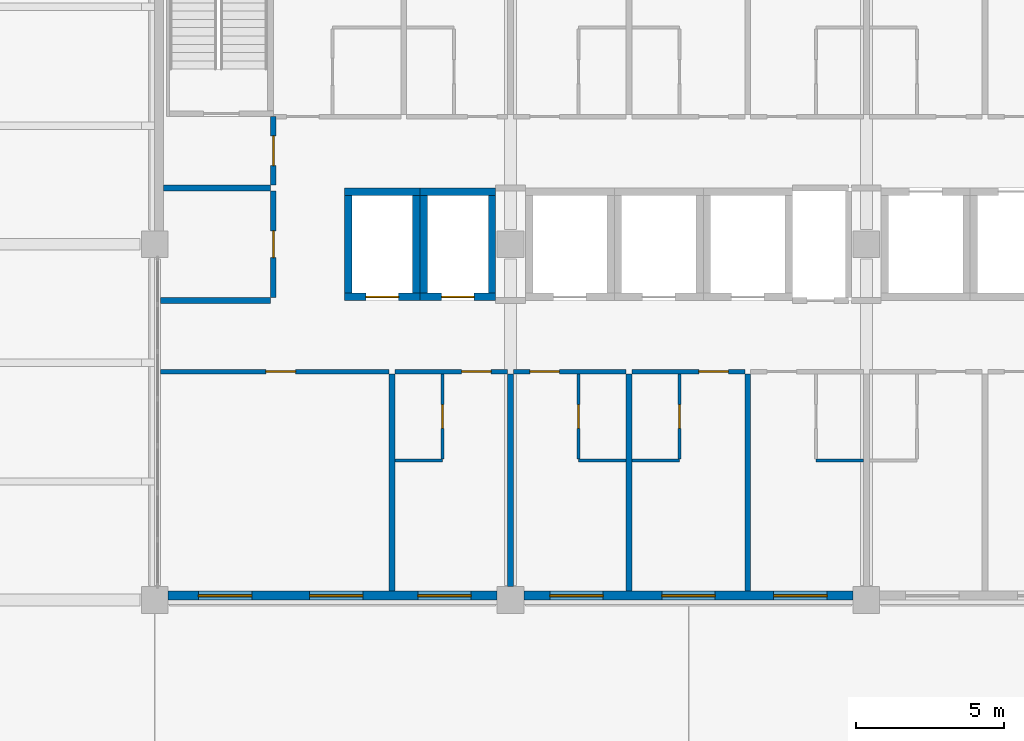
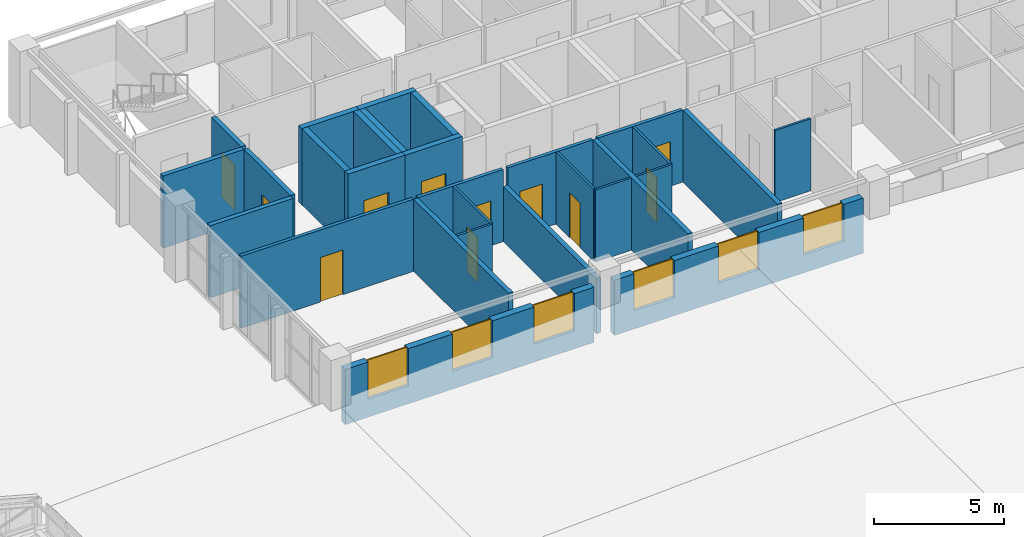
# One storey, part 87 of 94: 29 walls, 11 doors, 6 windows, 17 openings.
"""IFC4 building model written with IfcOpenShell, lengths in metres."""

import ifcopenshell
import ifcopenshell.guid

model = None  # the IFC model being written
_history = None  # IfcOwnerHistory: only IFC2X3 demands one
_inside = {}  # id of a spatial element -> (the spatial element, [elements in it])
_under = {}  # id of a project, library or spatial element -> (it, [spatial elements below it])
_declared = {}  # id of a project -> (the project, [libraries it declares])
_typed = {}  # id of a type object -> (the type object, [elements of that type])
_made_of = {}  # id of a material, layer set ... -> (it, [elements and type objects made of it])


def new_model(schema):
    """Start an empty IFC model of exactly this schema.

    Asked for "IFC4X3", IfcOpenShell would pick the latest addendum, in which some entities
    have other attributes; the version numbers below select the first issue.
    IFC2X3 requires an IfcOwnerHistory on every rooted entity: one is made here for all.
    """
    global model, _history
    if schema == "IFC4X3":
        model = ifcopenshell.file(schema_version=(4, 3, 0, 0))
    else:
        model = ifcopenshell.file(schema=schema)
    _inside.clear()
    _under.clear()
    _declared.clear()
    _typed.clear()
    _made_of.clear()
    _history = None
    if model.schema == "IFC2X3":
        org = make("IfcOrganization", Name="unknown")
        user = make(
            "IfcPersonAndOrganization",
            ThePerson=make("IfcPerson", FamilyName="unknown"),
            TheOrganization=org,
        )
        app = make(
            "IfcApplication",
            ApplicationDeveloper=org,
            Version="unknown",
            ApplicationFullName="unknown",
            ApplicationIdentifier="unknown",
        )
        _history = make(
            "IfcOwnerHistory",
            OwningUser=user,
            OwningApplication=app,
            ChangeAction="ADDED",
            CreationDate=0,
        )
    return model


def make(cls, **values):
    """One entity of the class cls with the attributes given. An attribute that is None is left unset."""
    return model.create_entity(
        cls, **{name: value for name, value in values.items() if value is not None}
    )


def rooted(cls, **values):
    """An entity with a GlobalId (a new one), such as an element, a storey or a relation."""
    return make(cls, GlobalId=ifcopenshell.guid.new(), OwnerHistory=_history, **values)


def si_unit(unit_type, name, prefix=None):
    """IfcSIUnit, for example si_unit("LENGTHUNIT", "METRE", prefix="MILLI")."""
    return make("IfcSIUnit", UnitType=unit_type, Prefix=prefix, Name=name)


def assignment(units):
    """IfcUnitAssignment: the units of a project."""
    return None if units is None else make("IfcUnitAssignment", Units=units)


def point(xyz):
    """IfcCartesianPoint."""
    return None if xyz is None else make("IfcCartesianPoint", Coordinates=xyz)


def direction(xyz):
    """IfcDirection."""
    return None if xyz is None else make("IfcDirection", DirectionRatios=xyz)


def frame(location, z_axis=None, x_axis=None):
    """IfcAxis2Placement3D, a coordinate frame: its origin and axes. An axis left out is left unset."""
    return make(
        "IfcAxis2Placement3D",
        Location=point(location),
        Axis=direction(z_axis),
        RefDirection=direction(x_axis),
    )


def frame_2d(location, x_axis=None):
    """IfcAxis2Placement2D, a coordinate frame in the plane: its origin and x axis."""
    return make(
        "IfcAxis2Placement2D", Location=point(location), RefDirection=direction(x_axis)
    )


def origin():
    """The frame at (0, 0, 0) with its axes left unset."""
    return frame((0.0, 0.0, 0.0))


def place(relative_to, where):
    """IfcLocalPlacement: puts the frame where relative to a parent placement (None: the world)."""
    return make(
        "IfcLocalPlacement", PlacementRelTo=relative_to, RelativePlacement=where
    )


def context(
    kind, dimensions, precision=None, world=None, true_north=None, identifier=None
):
    """IfcGeometricRepresentationContext, for example the 3D "Model" context."""
    return make(
        "IfcGeometricRepresentationContext",
        ContextIdentifier=identifier,
        ContextType=kind,
        CoordinateSpaceDimension=dimensions,
        Precision=precision,
        WorldCoordinateSystem=world,
        TrueNorth=true_north,
    )


def subcontext(parent, identifier, kind, view, scale=None):
    """IfcGeometricRepresentationSubContext, for example "Body" below "Model"."""
    return make(
        "IfcGeometricRepresentationSubContext",
        ContextIdentifier=identifier,
        ContextType=kind,
        ParentContext=parent,
        TargetScale=scale,
        TargetView=view,
    )


def project(units=None, contexts=None):
    """IfcProject with its units and contexts."""
    return rooted(
        "IfcProject",
        Name="project",
        RepresentationContexts=contexts,
        UnitsInContext=assignment(units),
    )


def spatial(cls, under=None, at=None, **own):
    """A site, building, storey or space (cls), placed at a placement, below another one or the project."""
    s = rooted(cls, ObjectPlacement=at, **own)
    if under is not None:
        _under.setdefault(under.id(), (under, []))[1].append(s)
    return s


def profile(cls, at=None, kind="AREA", **sizes):
    """A parametric profile (cls). Its sizes go by their IFC names, for example OverallWidth=200.0."""
    return make(cls, ProfileType=kind, Position=at, **sizes)


def rectangle(**sizes):
    """IfcRectangleProfileDef."""
    return profile("IfcRectangleProfileDef", **sizes)


def extrude(swept, where, along, depth):
    """IfcExtrudedAreaSolid: the profile swept, set in the frame where, extruded along a direction by depth."""
    return make(
        "IfcExtrudedAreaSolid",
        SweptArea=swept,
        Position=where,
        ExtrudedDirection=direction(along),
        Depth=depth,
    )


def shape(context_of_items, identifier, shape_type, items):
    """IfcShapeRepresentation: the items that make up one representation, for example the "Body"."""
    return make(
        "IfcShapeRepresentation",
        ContextOfItems=context_of_items,
        RepresentationIdentifier=identifier,
        RepresentationType=shape_type,
        Items=items,
    )


def material(Name=None, Category=None):
    """IfcMaterial."""
    return make("IfcMaterial", Name=Name, Category=Category)


def layer(
    of_material, thickness, ventilated=None, Name=None, Category=None, Priority=None
):
    """IfcMaterialLayer: one layer of a wall or slab, of a material (None: an air gap)."""
    return make(
        "IfcMaterialLayer",
        Material=of_material,
        LayerThickness=thickness,
        IsVentilated=ventilated,
        Name=Name,
        Category=Category,
        Priority=Priority,
    )


def layer_set(layers, Name=None):
    """IfcMaterialLayerSet."""
    return make("IfcMaterialLayerSet", MaterialLayers=layers, LayerSetName=Name)


def made_of(thing, what):
    """Note that an element or type object is made of a material, layer set ...; save() writes the relation."""
    if what is not None:
        _made_of.setdefault(what.id(), (what, []))[1].append(thing)
    return thing


def type_object(cls, material=None, **own):
    """A type object (cls), such as IfcWallType, which elements share."""
    return made_of(rooted(cls, **own), material)


def element(
    cls,
    number,
    at=None,
    inside=None,
    cuts=None,
    type_object=None,
    material=None,
    context=None,
    identifier="Body",
    shape_type=None,
    held_by="IfcProductDefinitionShape",
    body=None,
    shapes=None,
    **own,
):
    """One element of the class cls, such as IfcWall. Its Tag is "e" and its number.

    at: its placement. inside: the storey or other place that contains it. cuts: it is an
    opening in that element (IfcRelVoidsElement). A single representation is given by context,
    identifier, shape_type and body (its items); several are given by shapes. held_by: the class
    of the entity that holds the representations. save() writes the other relations.
    """
    e = rooted(cls, Tag="e%d" % number, ObjectPlacement=at, **own)
    if body is not None:
        shapes = [shape(context, identifier, shape_type, body)]
    if shapes is not None:
        e.Representation = make(held_by, Representations=shapes)
    if inside is not None:
        _inside.setdefault(inside.id(), (inside, []))[1].append(e)
    if cuts is not None:
        rooted(
            "IfcRelVoidsElement", RelatingBuildingElement=cuts, RelatedOpeningElement=e
        )
    if type_object is not None:
        _typed.setdefault(type_object.id(), (type_object, []))[1].append(e)
    return made_of(e, material)


def fill(opening, filler):
    """IfcRelFillsElement: the door or window that sits in an opening."""
    return rooted(
        "IfcRelFillsElement",
        RelatingOpeningElement=opening,
        RelatedBuildingElement=filler,
    )


def aggregate(whole, parts):
    """IfcRelAggregates: a whole, such as a stair, and the parts it consists of."""
    return rooted("IfcRelAggregates", RelatingObject=whole, RelatedObjects=parts)


def save(model, path):
    """Write the relations noted so far, then the file.

    IfcRelAggregates (storeys below a building ...), IfcRelContainedInSpatialStructure (elements
    in a storey), IfcRelDefinesByType, IfcRelAssociatesMaterial and IfcRelDeclares: one each for
    every whole, place, type object, material and project.
    """
    for whole, parts in _under.values():
        aggregate(whole, parts)
    for where, things in _inside.values():
        rooted(
            "IfcRelContainedInSpatialStructure",
            RelatedElements=things,
            RelatingStructure=where,
        )
    for kind, things in _typed.values():
        rooted("IfcRelDefinesByType", RelatedObjects=things, RelatingType=kind)
    for what, things in _made_of.values():
        rooted("IfcRelAssociatesMaterial", RelatedObjects=things, RelatingMaterial=what)
    for by, libraries in _declared.values():
        rooted("IfcRelDeclares", RelatingContext=by, RelatedDefinitions=libraries)
    model.write(path)


model = new_model("IFC4")

# Units and contexts
model_context = context("Model", 3, precision=1e-05, world=origin(), true_north=direction((0.0, 1.0)))
body_context = subcontext(model_context, "Body", "Model", "MODEL_VIEW")
ifc_project = project(units=[si_unit("LENGTHUNIT", "METRE"), si_unit("AREAUNIT", "SQUARE_METRE"), si_unit("VOLUMEUNIT", "CUBIC_METRE"), si_unit("PLANEANGLEUNIT", "RADIAN"), si_unit("MASSUNIT", "GRAM", prefix="KILO")], contexts=[model_context])

# Site, building, storey
site_placement = place(None, origin())
site = spatial("IfcSite", under=ifc_project, at=site_placement, CompositionType="ELEMENT")
building_placement = place(site_placement, origin())
building = spatial("IfcBuilding", under=site, at=building_placement, Name="Lilac Gate Convention Centre", CompositionType="ELEMENT")
storey_placement = place(building_placement, frame((0.0, 0.0, 21.0)))
storey = spatial("IfcBuildingStorey", under=building, at=storey_placement, Name="L04", CompositionType="ELEMENT", Elevation=21.0)

# Wall, opening, door
ifc_material_1 = material(Name="Concrete C60", Category="concrete")
ifc_layer_1 = layer(ifc_material_1, 0.25)
ifc_layer_set_1 = layer_set([ifc_layer_1], Name="Concrete C60")
wall_type_1 = type_object("IfcWallType", Name="Core wall 250 C60", PredefinedType="SHEAR", material=ifc_layer_set_1)
wall_1_placement = place(storey_placement, frame((48.39990234375, 232.22509765625, 0.0), z_axis=(0.0, 0.0, 1.0), x_axis=(1.0, 0.0, 0.0)))
wall_1 = element("IfcWall", 1, at=wall_1_placement, inside=storey, type_object=wall_type_1, Name="CRW3 core wall TC L04 25", PredefinedType="SHEAR", context=body_context, shape_type="SweptSolid", body=[
    extrude(rectangle(XDim=2.550048828125, YDim=0.25, at=frame_2d((1.27490234375, 0.0))), origin(), (0.0, 0.0, 1.0), 3.60009765625),
])
opening_1_placement = place(wall_1_placement, frame((0.72509765625, 0.0, 0.0)))
opening_1 = element("IfcOpeningElement", 2, at=opening_1_placement, cuts=wall_1, Name="Opening T04-052", PredefinedType="OPENING", context=body_context, shape_type="SweptSolid", body=[
    extrude(rectangle(XDim=1.10009765625, YDim=2.10009765625, at=frame_2d((0.550048828125, 1.050048828125))), frame((0.0, 0.135009765625, 0.0), z_axis=(0.0, -1.0, 0.0), x_axis=(1.0, 0.0, 0.0)), (0.0, 0.0, 1.0), 0.27001953125),
])
ifc_material_2 = material(Name="Stainless steel 304", Category="steel")
door_type_1 = type_object("IfcDoorType", Name="Lift landing door 1100", OperationType="SLIDING_TO_LEFT", PredefinedType="DOOR", material=ifc_material_2)
door_1_placement = place(opening_1_placement, origin())
door_1 = element("IfcDoor", 3, at=door_1_placement, inside=storey, type_object=door_type_1, Name="Lift landing door TS1 L04", OperationType="SLIDING_TO_LEFT", OverallHeight=2.10009765625, OverallWidth=1.10009765625, PredefinedType="DOOR", context=body_context, shape_type="SweptSolid", body=[
    extrude(rectangle(XDim=1.10009765625, YDim=2.10009765625, at=frame_2d((0.550048828125, 1.050048828125))), frame((0.0, 0.02490234375, 0.0), z_axis=(0.0, -1.0, 0.0), x_axis=(1.0, 0.0, 0.0)), (0.0, 0.0, 1.0), 0.050048828125),
])
fill(opening_1, door_1)

# Walls
wall_2_placement = place(storey_placement, frame((48.39990234375, 235.77490234375, 0.0), z_axis=(0.0, 0.0, 1.0), x_axis=(1.0, 0.0, 0.0)))
element("IfcWall", 4, at=wall_2_placement, inside=storey, type_object=wall_type_1, Name="CRW3 core wall TC L04 26", PredefinedType="SHEAR", context=body_context, shape_type="SweptSolid", body=[
    extrude(rectangle(XDim=2.550048828125, YDim=0.25, at=frame_2d((1.27490234375, 0.0))), origin(), (0.0, 0.0, 1.0), 3.60009765625),
])
for number, where, z_axis, x_axis, name in (
    (5, (48.52490234375, 232.35009765625, 0.0), (0.0, 0.0, 1.0), (0.0, 1.0, 0.0), "CRW3 core wall TC L04 27"),
    (6, (50.824951171875, 232.35009765625, 0.0), (0.0, 0.0, 1.0), (0.0, 1.0, 0.0), "CRW3 core wall TC L04 28"),
):
    element("IfcWall", number, at=place(storey_placement, frame(where, z_axis=z_axis, x_axis=x_axis)), inside=storey, type_object=wall_type_1, Name=name, PredefinedType="SHEAR", context=body_context, shape_type="SweptSolid", body=[
        extrude(rectangle(XDim=3.2998046875, YDim=0.25, at=frame_2d((1.64990234375, 0.0))), origin(), (0.0, 0.0, 1.0), 3.60009765625),
    ])

# Wall, opening, door
wall_3_placement = place(storey_placement, frame((50.949951171875, 232.22509765625, 0.0), z_axis=(0.0, 0.0, 1.0), x_axis=(1.0, 0.0, 0.0)))
wall_3 = element("IfcWall", 7, at=wall_3_placement, inside=storey, type_object=wall_type_1, Name="CRW3 core wall TC L04 29", PredefinedType="SHEAR", context=body_context, shape_type="SweptSolid", body=[
    extrude(rectangle(XDim=2.550048828125, YDim=0.25, at=frame_2d((1.27490234375, 0.0))), origin(), (0.0, 0.0, 1.0), 3.60009765625),
])
opening_2_placement = place(wall_3_placement, frame((0.72509765625, 0.0, 0.0)))
opening_2 = element("IfcOpeningElement", 8, at=opening_2_placement, cuts=wall_3, Name="Opening T04-053", PredefinedType="OPENING", context=body_context, shape_type="SweptSolid", body=[
    extrude(rectangle(XDim=1.10009765625, YDim=2.10009765625, at=frame_2d((0.550048828125, 1.050048828125))), frame((0.0, 0.135009765625, 0.0), z_axis=(0.0, -1.0, 0.0), x_axis=(1.0, 0.0, 0.0)), (0.0, 0.0, 1.0), 0.27001953125),
])
door_2_placement = place(opening_2_placement, origin())
door_2 = element("IfcDoor", 9, at=door_2_placement, inside=storey, type_object=door_type_1, Name="Lift landing door TS2 L04", OperationType="SLIDING_TO_LEFT", OverallHeight=2.10009765625, OverallWidth=1.10009765625, PredefinedType="DOOR", context=body_context, shape_type="SweptSolid", body=[
    extrude(rectangle(XDim=1.10009765625, YDim=2.10009765625, at=frame_2d((0.550048828125, 1.050048828125))), frame((0.0, 0.02490234375, 0.0), z_axis=(0.0, -1.0, 0.0), x_axis=(1.0, 0.0, 0.0)), (0.0, 0.0, 1.0), 0.050048828125),
])
fill(opening_2, door_2)

# Walls
wall_4_placement = place(storey_placement, frame((50.949951171875, 235.77490234375, 0.0), z_axis=(0.0, 0.0, 1.0), x_axis=(1.0, 0.0, 0.0)))
element("IfcWall", 10, at=wall_4_placement, inside=storey, type_object=wall_type_1, Name="CRW3 core wall TC L04 30", PredefinedType="SHEAR", context=body_context, shape_type="SweptSolid", body=[
    extrude(rectangle(XDim=2.550048828125, YDim=0.25, at=frame_2d((1.27490234375, 0.0))), origin(), (0.0, 0.0, 1.0), 3.60009765625),
])
for number, where, z_axis, x_axis, name in (
    (11, (51.074951171875, 232.35009765625, 0.0), (0.0, 0.0, 1.0), (0.0, 1.0, 0.0), "CRW3 core wall TC L04 31"),
    (12, (53.375, 232.35009765625, 0.0), (0.0, 0.0, 1.0), (0.0, 1.0, 0.0), "CRW3 core wall TC L04 32"),
):
    element("IfcWall", number, at=place(storey_placement, frame(where, z_axis=z_axis, x_axis=x_axis)), inside=storey, type_object=wall_type_1, Name=name, PredefinedType="SHEAR", context=body_context, shape_type="SweptSolid", body=[
        extrude(rectangle(XDim=3.2998046875, YDim=0.25, at=frame_2d((1.64990234375, 0.0))), origin(), (0.0, 0.0, 1.0), 3.60009765625),
    ])

# Wall, opening, door
ifc_material_3 = material(Name="Gypsum board on steel stud", Category="steel")
ifc_layer_2 = layer(ifc_material_3, 0.14990234375)
ifc_layer_set_2 = layer_set([ifc_layer_2], Name="Gypsum board on steel stud")
wall_type_2 = type_object("IfcWallType", Name="Corridor wall 150", PredefinedType="PARTITIONING", material=ifc_layer_set_2)
wall_5_placement = place(storey_placement, frame((49.89990234375, 229.699951171875, 0.0), z_axis=(0.0, 0.0, 1.0), x_axis=(-1.0, 0.0, 0.0)))
wall_5 = element("IfcWall", 13, at=wall_5_placement, inside=storey, type_object=wall_type_2, Name="Corridor wall 150 front 0401", PredefinedType="PARTITIONING", context=body_context, shape_type="SweptSolid", body=[
    extrude(rectangle(XDim=7.69970703125, YDim=0.14990234375, at=frame_2d((3.849853515625, 0.0))), origin(), (0.0, 0.0, 1.0), 3.39990234375),
])
opening_3_placement = place(wall_5_placement, frame((3.14990234375, 0.0, 0.0)))
opening_3 = element("IfcOpeningElement", 14, at=opening_3_placement, cuts=wall_5, Name="Opening T04-008", PredefinedType="OPENING", context=body_context, shape_type="SweptSolid", body=[
    extrude(rectangle(XDim=1.0, YDim=2.10009765625, at=frame_2d((0.5, 1.050048828125))), frame((0.0, 0.0849609375, 0.0), z_axis=(0.0, -1.0, 0.0), x_axis=(1.0, 0.0, 0.0)), (0.0, 0.0, 1.0), 0.169921875),
])
ifc_material_4 = material(Name="Timber", Category="wood")
door_type_2 = type_object("IfcDoorType", Name="Room door 1000", OperationType="SINGLE_SWING_LEFT", PredefinedType="DOOR", material=ifc_material_4)
door_3_placement = place(opening_3_placement, origin())
door_3 = element("IfcDoor", 15, at=door_3_placement, inside=storey, type_object=door_type_2, Name="Meeting Room door", OperationType="SINGLE_SWING_LEFT", OverallHeight=2.10009765625, OverallWidth=1.0, PredefinedType="DOOR", context=body_context, shape_type="SweptSolid", body=[
    extrude(rectangle(XDim=1.0, YDim=2.10009765625, at=frame_2d((0.5, 1.050048828125))), frame((0.0, 0.02490234375, 0.0), z_axis=(0.0, -1.0, 0.0), x_axis=(1.0, 0.0, 0.0)), (0.0, 0.0, 1.0), 0.050048828125),
])
fill(opening_3, door_3)

wall_6_placement = place(storey_placement, frame((53.89990234375, 229.699951171875, 0.0), z_axis=(0.0, 0.0, 1.0), x_axis=(-1.0, 0.0, 0.0)))
wall_6 = element("IfcWall", 16, at=wall_6_placement, inside=storey, type_object=wall_type_2, Name="Corridor wall 150 front 0402", PredefinedType="PARTITIONING", context=body_context, shape_type="SweptSolid", body=[
    extrude(rectangle(XDim=3.7998046875, YDim=0.14990234375, at=frame_2d((1.89990234375, 0.0))), origin(), (0.0, 0.0, 1.0), 3.39990234375),
])
opening_4_placement = place(wall_6_placement, frame((0.550048828125, 0.0, 0.0)))
opening_4 = element("IfcOpeningElement", 17, at=opening_4_placement, cuts=wall_6, Name="Opening T04-009", PredefinedType="OPENING", context=body_context, shape_type="SweptSolid", body=[
    extrude(rectangle(XDim=1.0, YDim=2.10009765625, at=frame_2d((0.5, 1.050048828125))), frame((0.0, 0.0849609375, 0.0), z_axis=(0.0, -1.0, 0.0), x_axis=(1.0, 0.0, 0.0)), (0.0, 0.0, 1.0), 0.169921875),
])
door_type_3 = type_object("IfcDoorType", Name="Guest room entrance door 1000", OperationType="SINGLE_SWING_LEFT", PredefinedType="DOOR", material=ifc_material_4)
door_4_placement = place(opening_4_placement, origin())
door_4 = element("IfcDoor", 18, at=door_4_placement, inside=storey, type_object=door_type_3, Name="Guest room door 0402", OperationType="SINGLE_SWING_LEFT", OverallHeight=2.10009765625, OverallWidth=1.0, PredefinedType="DOOR", context=body_context, shape_type="SweptSolid", body=[
    extrude(rectangle(XDim=1.0, YDim=2.10009765625, at=frame_2d((0.5, 1.050048828125))), frame((0.0, 0.02490234375, 0.0), z_axis=(0.0, -1.0, 0.0), x_axis=(1.0, 0.0, 0.0)), (0.0, 0.0, 1.0), 0.050048828125),
])
fill(opening_4, door_4)

wall_7_placement = place(storey_placement, frame((57.89990234375, 229.699951171875, 0.0), z_axis=(0.0, 0.0, 1.0), x_axis=(-1.0, 0.0, 0.0)))
wall_7 = element("IfcWall", 19, at=wall_7_placement, inside=storey, type_object=wall_type_2, Name="Corridor wall 150 front 0403", PredefinedType="PARTITIONING", context=body_context, shape_type="SweptSolid", body=[
    extrude(rectangle(XDim=3.7998046875, YDim=0.14990234375, at=frame_2d((1.89990234375, 0.0))), origin(), (0.0, 0.0, 1.0), 3.39990234375),
])
opening_5_placement = place(wall_7_placement, frame((2.25, 0.0, 0.0)))
opening_5 = element("IfcOpeningElement", 20, at=opening_5_placement, cuts=wall_7, Name="Opening T04-011", PredefinedType="OPENING", context=body_context, shape_type="SweptSolid", body=[
    extrude(rectangle(XDim=1.0, YDim=2.10009765625, at=frame_2d((0.5, 1.050048828125))), frame((0.0, 0.0849609375, 0.0), z_axis=(0.0, -1.0, 0.0), x_axis=(1.0, 0.0, 0.0)), (0.0, 0.0, 1.0), 0.169921875),
])
door_5_placement = place(opening_5_placement, origin())
door_5 = element("IfcDoor", 21, at=door_5_placement, inside=storey, type_object=door_type_3, Name="Guest room door 0403", OperationType="SINGLE_SWING_RIGHT", OverallHeight=2.10009765625, OverallWidth=1.0, PredefinedType="DOOR", context=body_context, shape_type="SweptSolid", body=[
    extrude(rectangle(XDim=1.0, YDim=2.10009765625, at=frame_2d((0.5, 1.050048828125))), frame((0.0, 0.02490234375, 0.0), z_axis=(0.0, -1.0, 0.0), x_axis=(1.0, 0.0, 0.0)), (0.0, 0.0, 1.0), 0.050048828125),
])
fill(opening_5, door_5)

wall_8_placement = place(storey_placement, frame((61.89990234375, 229.699951171875, 0.0), z_axis=(0.0, 0.0, 1.0), x_axis=(-1.0, 0.0, 0.0)))
wall_8 = element("IfcWall", 22, at=wall_8_placement, inside=storey, type_object=wall_type_2, Name="Corridor wall 150 front 0404", PredefinedType="PARTITIONING", context=body_context, shape_type="SweptSolid", body=[
    extrude(rectangle(XDim=3.7998046875, YDim=0.14990234375, at=frame_2d((1.89990234375, 0.0))), origin(), (0.0, 0.0, 1.0), 3.39990234375),
])
opening_6_placement = place(wall_8_placement, frame((0.550048828125, 0.0, 0.0)))
opening_6 = element("IfcOpeningElement", 23, at=opening_6_placement, cuts=wall_8, Name="Opening T04-013", PredefinedType="OPENING", context=body_context, shape_type="SweptSolid", body=[
    extrude(rectangle(XDim=1.0, YDim=2.10009765625, at=frame_2d((0.5, 1.050048828125))), frame((0.0, 0.0849609375, 0.0), z_axis=(0.0, -1.0, 0.0), x_axis=(1.0, 0.0, 0.0)), (0.0, 0.0, 1.0), 0.169921875),
])
door_6_placement = place(opening_6_placement, origin())
door_6 = element("IfcDoor", 24, at=door_6_placement, inside=storey, type_object=door_type_3, Name="Guest room door 0404", OperationType="SINGLE_SWING_LEFT", OverallHeight=2.10009765625, OverallWidth=1.0, PredefinedType="DOOR", context=body_context, shape_type="SweptSolid", body=[
    extrude(rectangle(XDim=1.0, YDim=2.10009765625, at=frame_2d((0.5, 1.050048828125))), frame((0.0, 0.02490234375, 0.0), z_axis=(0.0, -1.0, 0.0), x_axis=(1.0, 0.0, 0.0)), (0.0, 0.0, 1.0), 0.050048828125),
])
fill(opening_6, door_6)

# Wall
ifc_layer_3 = layer(ifc_material_3, 0.10009765625)
ifc_layer_set_3 = layer_set([ifc_layer_3], Name="Gypsum board on steel stud")
wall_type_3 = type_object("IfcWallType", Name="En-suite wall 100", PredefinedType="PARTITIONING", material=ifc_layer_set_3)
wall_9_placement = place(storey_placement, frame((50.10009765625, 226.699951171875, 0.0), z_axis=(0.0, 0.0, 1.0), x_axis=(1.0, 0.0, 0.0)))
element("IfcWall", 25, at=wall_9_placement, inside=storey, type_object=wall_type_3, Name="En-suite wall 100 bath 0402", PredefinedType="PARTITIONING", context=body_context, shape_type="SweptSolid", body=[
    extrude(rectangle(XDim=1.599853515625, YDim=0.10009765625, at=frame_2d((0.7998046875, 0.0))), origin(), (0.0, 0.0, 1.0), 3.39990234375),
])

# Wall, opening, door
wall_10_placement = place(storey_placement, frame((51.699951171875, 229.625, 0.0), z_axis=(0.0, 0.0, 1.0), x_axis=(0.0, -1.0, 0.0)))
wall_10 = element("IfcWall", 26, at=wall_10_placement, inside=storey, type_object=wall_type_3, Name="En-suite wall 100 bath side 0402", PredefinedType="PARTITIONING", context=body_context, shape_type="SweptSolid", body=[
    extrude(rectangle(XDim=2.875, YDim=0.10009765625, at=frame_2d((1.4375, 0.0))), origin(), (0.0, 0.0, 1.0), 3.39990234375),
])
opening_7_placement = place(wall_10_placement, frame((1.03759765625, 0.0, 0.0)))
opening_7 = element("IfcOpeningElement", 27, at=opening_7_placement, cuts=wall_10, Name="Opening T04-010", PredefinedType="OPENING", context=body_context, shape_type="SweptSolid", body=[
    extrude(rectangle(XDim=0.800048828125, YDim=2.10009765625, at=frame_2d((0.39990234375, 1.050048828125))), frame((0.0, 0.06005859375, 0.0), z_axis=(0.0, -1.0, 0.0), x_axis=(1.0, 0.0, 0.0)), (0.0, 0.0, 1.0), 0.1201171875),
])
door_type_4 = type_object("IfcDoorType", Name="En-suite door 800", OperationType="SINGLE_SWING_LEFT", PredefinedType="DOOR", material=ifc_material_4)
door_7_placement = place(opening_7_placement, origin())
door_7 = element("IfcDoor", 28, at=door_7_placement, inside=storey, type_object=door_type_4, Name="En-suite door 0402", OperationType="SINGLE_SWING_LEFT", OverallHeight=2.10009765625, OverallWidth=0.800048828125, PredefinedType="DOOR", context=body_context, shape_type="SweptSolid", body=[
    extrude(rectangle(XDim=0.800048828125, YDim=2.10009765625, at=frame_2d((0.39990234375, 1.050048828125))), frame((0.0, 0.02490234375, 0.0), z_axis=(0.0, -1.0, 0.0), x_axis=(1.0, 0.0, 0.0)), (0.0, 0.0, 1.0), 0.050048828125),
])
fill(opening_7, door_7)

# Wall
wall_11_placement = place(storey_placement, frame((56.300048828125, 226.699951171875, 0.0), z_axis=(0.0, 0.0, 1.0), x_axis=(1.0, 0.0, 0.0)))
element("IfcWall", 29, at=wall_11_placement, inside=storey, type_object=wall_type_3, Name="En-suite wall 100 bath 0403", PredefinedType="PARTITIONING", context=body_context, shape_type="SweptSolid", body=[
    extrude(rectangle(XDim=1.599853515625, YDim=0.10009765625, at=frame_2d((0.7998046875, 0.0))), origin(), (0.0, 0.0, 1.0), 3.39990234375),
])

# Wall, opening, door
wall_12_placement = place(storey_placement, frame((56.300048828125, 226.75, 0.0), z_axis=(0.0, 0.0, 1.0), x_axis=(0.0, 1.0, 0.0)))
wall_12 = element("IfcWall", 30, at=wall_12_placement, inside=storey, type_object=wall_type_3, Name="En-suite wall 100 bath side 0403", PredefinedType="PARTITIONING", context=body_context, shape_type="SweptSolid", body=[
    extrude(rectangle(XDim=2.875, YDim=0.10009765625, at=frame_2d((1.4375, 0.0))), origin(), (0.0, 0.0, 1.0), 3.39990234375),
])
opening_8_placement = place(wall_12_placement, frame((1.03759765625, 0.0, 0.0)))
opening_8 = element("IfcOpeningElement", 31, at=opening_8_placement, cuts=wall_12, Name="Opening T04-012", PredefinedType="OPENING", context=body_context, shape_type="SweptSolid", body=[
    extrude(rectangle(XDim=0.800048828125, YDim=2.10009765625, at=frame_2d((0.39990234375, 1.050048828125))), frame((0.0, 0.06005859375, 0.0), z_axis=(0.0, -1.0, 0.0), x_axis=(1.0, 0.0, 0.0)), (0.0, 0.0, 1.0), 0.1201171875),
])
door_8_placement = place(opening_8_placement, origin())
door_8 = element("IfcDoor", 32, at=door_8_placement, inside=storey, type_object=door_type_4, Name="En-suite door 0403", OperationType="SINGLE_SWING_RIGHT", OverallHeight=2.10009765625, OverallWidth=0.800048828125, PredefinedType="DOOR", context=body_context, shape_type="SweptSolid", body=[
    extrude(rectangle(XDim=0.800048828125, YDim=2.10009765625, at=frame_2d((0.39990234375, 1.050048828125))), frame((0.0, 0.02490234375, 0.0), z_axis=(0.0, -1.0, 0.0), x_axis=(1.0, 0.0, 0.0)), (0.0, 0.0, 1.0), 0.050048828125),
])
fill(opening_8, door_8)

# Wall
wall_13_placement = place(storey_placement, frame((58.10009765625, 226.699951171875, 0.0), z_axis=(0.0, 0.0, 1.0), x_axis=(1.0, 0.0, 0.0)))
element("IfcWall", 33, at=wall_13_placement, inside=storey, type_object=wall_type_3, Name="En-suite wall 100 bath 0404", PredefinedType="PARTITIONING", context=body_context, shape_type="SweptSolid", body=[
    extrude(rectangle(XDim=1.599853515625, YDim=0.10009765625, at=frame_2d((0.7998046875, 0.0))), origin(), (0.0, 0.0, 1.0), 3.39990234375),
])

# Wall, opening, door
wall_14_placement = place(storey_placement, frame((59.699951171875, 229.625, 0.0), z_axis=(0.0, 0.0, 1.0), x_axis=(0.0, -1.0, 0.0)))
wall_14 = element("IfcWall", 34, at=wall_14_placement, inside=storey, type_object=wall_type_3, Name="En-suite wall 100 bath side 0404", PredefinedType="PARTITIONING", context=body_context, shape_type="SweptSolid", body=[
    extrude(rectangle(XDim=2.875, YDim=0.10009765625, at=frame_2d((1.4375, 0.0))), origin(), (0.0, 0.0, 1.0), 3.39990234375),
])
opening_9_placement = place(wall_14_placement, frame((1.03759765625, 0.0, 0.0)))
opening_9 = element("IfcOpeningElement", 35, at=opening_9_placement, cuts=wall_14, Name="Opening T04-014", PredefinedType="OPENING", context=body_context, shape_type="SweptSolid", body=[
    extrude(rectangle(XDim=0.800048828125, YDim=2.10009765625, at=frame_2d((0.39990234375, 1.050048828125))), frame((0.0, 0.06005859375, 0.0), z_axis=(0.0, -1.0, 0.0), x_axis=(1.0, 0.0, 0.0)), (0.0, 0.0, 1.0), 0.1201171875),
])
door_9_placement = place(opening_9_placement, origin())
door_9 = element("IfcDoor", 36, at=door_9_placement, inside=storey, type_object=door_type_4, Name="En-suite door 0404", OperationType="SINGLE_SWING_LEFT", OverallHeight=2.10009765625, OverallWidth=0.800048828125, PredefinedType="DOOR", context=body_context, shape_type="SweptSolid", body=[
    extrude(rectangle(XDim=0.800048828125, YDim=2.10009765625, at=frame_2d((0.39990234375, 1.050048828125))), frame((0.0, 0.02490234375, 0.0), z_axis=(0.0, -1.0, 0.0), x_axis=(1.0, 0.0, 0.0)), (0.0, 0.0, 1.0), 0.050048828125),
])
fill(opening_9, door_9)

# Walls
wall_15_placement = place(storey_placement, frame((64.300048828125, 226.699951171875, 0.0), z_axis=(0.0, 0.0, 1.0), x_axis=(1.0, 0.0, 0.0)))
element("IfcWall", 37, at=wall_15_placement, inside=storey, type_object=wall_type_3, Name="En-suite wall 100 bath 0405", PredefinedType="PARTITIONING", context=body_context, shape_type="SweptSolid", body=[
    extrude(rectangle(XDim=1.599853515625, YDim=0.10009765625, at=frame_2d((0.7998046875, 0.0))), origin(), (0.0, 0.0, 1.0), 3.39990234375),
])
ifc_layer_4 = layer(ifc_material_3, 0.199951171875)
ifc_layer_set_4 = layer_set([ifc_layer_4], Name="Gypsum board on steel stud")
wall_type_4 = type_object("IfcWallType", Name="Guest room party wall 200", PredefinedType="PARTITIONING", material=ifc_layer_set_4)
wall_16_placement = place(storey_placement, frame((50.0, 222.2998046875, 0.0), z_axis=(0.0, 0.0, 1.0), x_axis=(0.0, 1.0, 0.0)))
element("IfcWall", 38, at=wall_16_placement, inside=storey, type_object=wall_type_4, Name="Guest room party wall 200 party 50.0", PredefinedType="PARTITIONING", context=body_context, shape_type="SweptSolid", body=[
    extrude(rectangle(XDim=7.3251953125, YDim=0.199951171875, at=frame_2d((3.66259765625, 0.0))), origin(), (0.0, 0.0, 1.0), 3.39990234375),
])
wall_17_placement = place(storey_placement, frame((54.0, 222.449951171875, 0.0), z_axis=(0.0, 0.0, 1.0), x_axis=(0.0, 1.0, 0.0)))
element("IfcWall", 39, at=wall_17_placement, inside=storey, type_object=wall_type_4, Name="Guest room party wall 200 party 54.0", PredefinedType="PARTITIONING", context=body_context, shape_type="SweptSolid", body=[
    extrude(rectangle(XDim=7.175048828125, YDim=0.199951171875, at=frame_2d((3.58740234375, 0.0))), origin(), (0.0, 0.0, 1.0), 2.60009765625),
])
for number, where, z_axis, x_axis, name in (
    (40, (58.0, 222.2998046875, 0.0), (0.0, 0.0, 1.0), (0.0, 1.0, 0.0), "Guest room party wall 200 party 58.0"),
    (41, (62.0, 222.2998046875, 0.0), (0.0, 0.0, 1.0), (0.0, 1.0, 0.0), "Guest room party wall 200 party 62.0"),
):
    element("IfcWall", number, at=place(storey_placement, frame(where, z_axis=z_axis, x_axis=x_axis)), inside=storey, type_object=wall_type_4, Name=name, PredefinedType="PARTITIONING", context=body_context, shape_type="SweptSolid", body=[
        extrude(rectangle(XDim=7.3251953125, YDim=0.199951171875, at=frame_2d((3.66259765625, 0.0))), origin(), (0.0, 0.0, 1.0), 3.39990234375),
    ])

# Wall, opening, door
ifc_layer_5 = layer(ifc_material_3, 0.199951171875)
ifc_layer_set_5 = layer_set([ifc_layer_5], Name="Gypsum board on steel stud")
wall_type_5 = type_object("IfcWallType", Name="Lobby wall 200", PredefinedType="PARTITIONING", material=ifc_layer_set_5)
wall_18_placement = place(storey_placement, frame((46.0, 236.0, 0.0), z_axis=(0.0, 0.0, 1.0), x_axis=(0.0, 1.0, 0.0)))
wall_18 = element("IfcWall", 42, at=wall_18_placement, inside=storey, type_object=wall_type_5, Name="Lobby wall 200 STL-NW-E", PredefinedType="PARTITIONING", context=body_context, shape_type="SweptSolid", body=[
    extrude(rectangle(XDim=2.300048828125, YDim=0.199951171875, at=frame_2d((1.14990234375, 0.0))), origin(), (0.0, 0.0, 1.0), 3.39990234375),
])
opening_10_placement = place(wall_18_placement, frame((0.64990234375, 0.0, 0.0)))
opening_10 = element("IfcOpeningElement", 43, at=opening_10_placement, cuts=wall_18, Name="Opening T04-006", PredefinedType="OPENING", context=body_context, shape_type="SweptSolid", body=[
    extrude(rectangle(XDim=1.0, YDim=2.10009765625, at=frame_2d((0.5, 1.050048828125))), frame((0.0, 0.10986328125, 0.0), z_axis=(0.0, -1.0, 0.0), x_axis=(1.0, 0.0, 0.0)), (0.0, 0.0, 1.0), 0.219970703125),
])
ifc_material_5 = material(Name="Steel Q235B", Category="steel")
door_type_5 = type_object("IfcDoorType", Name="Lobby door 1000", OperationType="SINGLE_SWING_LEFT", PredefinedType="DOOR", material=ifc_material_5)
door_10_placement = place(opening_10_placement, origin())
door_10 = element("IfcDoor", 44, at=door_10_placement, inside=storey, type_object=door_type_5, Name="Stair lobby door NW", OperationType="SINGLE_SWING_LEFT", OverallHeight=2.10009765625, OverallWidth=1.0, PredefinedType="DOOR", context=body_context, shape_type="SweptSolid", body=[
    extrude(rectangle(XDim=1.0, YDim=2.10009765625, at=frame_2d((0.5, 1.050048828125))), frame((0.0, 0.02490234375, 0.0), z_axis=(0.0, -1.0, 0.0), x_axis=(1.0, 0.0, 0.0)), (0.0, 0.0, 1.0), 0.050048828125),
])
fill(opening_10, door_10)

# Wall, openings, windows
ifc_material_6 = material(Name="Ochre mineral render")
ifc_layer_6 = layer(ifc_material_6, 0.02001953125)
ifc_material_7 = material(Name="Concrete C40 precast", Category="concrete")
ifc_layer_7 = layer(ifc_material_7, 0.06005859375)
ifc_material_8 = material(Name="Ventilated air cavity")
ifc_layer_8 = layer(ifc_material_8, 0.030029296875)
ifc_material_9 = material(Name="Mineral wool insulation")
ifc_layer_9 = layer(ifc_material_9, 0.1201171875)
ifc_material_10 = material(Name="Steel stud Q345 and gypsum lining", Category="steel")
ifc_layer_10 = layer(ifc_material_10, 0.070068359375)
ifc_layer_set_6 = layer_set([ifc_layer_6, ifc_layer_7, ifc_layer_8, ifc_layer_9, ifc_layer_10], Name="Ochre mineral render, Concrete C40 precast, Ventilated air cavity, Mineral wool insulation, Steel stud Q345 and gypsum lining")
wall_type_6 = type_object("IfcWallType", Name="Precast panel wall ochre 300", PredefinedType="STANDARD", material=ifc_layer_set_6)
wall_19_placement = place(storey_placement, frame((42.449951171875, 222.14990234375, 0.0), z_axis=(0.0, 0.0, 1.0), x_axis=(1.0, 0.0, 0.0)))
wall_19 = element("IfcWall", 45, at=wall_19_placement, inside=storey, type_object=wall_type_6, Name="External wall S L04 1", PredefinedType="STANDARD", context=body_context, shape_type="SweptSolid", body=[
    extrude(rectangle(XDim=11.10009765625, YDim=0.300048828125, at=frame_2d((5.550048828125, 0.0))), origin(), (0.0, 0.0, 1.0), 2.60009765625),
])
opening_11_placement = place(wall_19_placement, frame((1.02490234375, 0.0, 0.85009765625)))
opening_11 = element("IfcOpeningElement", 46, at=opening_11_placement, cuts=wall_19, Name="Opening W1", PredefinedType="OPENING", context=body_context, shape_type="SweptSolid", body=[
    extrude(rectangle(XDim=1.800048828125, YDim=1.75, at=frame_2d((0.89990234375, 0.875))), frame((0.0, 0.159912109375, 0.0), z_axis=(0.0, -1.0, 0.0), x_axis=(1.0, 0.0, 0.0)), (0.0, 0.0, 1.0), 0.320068359375),
])
opening_12_placement = place(wall_19_placement, frame((4.77490234375, 0.0, 0.85009765625)))
opening_12 = element("IfcOpeningElement", 47, at=opening_12_placement, cuts=wall_19, Name="Opening W1", PredefinedType="OPENING", context=body_context, shape_type="SweptSolid", body=[
    extrude(rectangle(XDim=1.800048828125, YDim=1.75, at=frame_2d((0.89990234375, 0.875))), frame((0.0, 0.159912109375, 0.0), z_axis=(0.0, -1.0, 0.0), x_axis=(1.0, 0.0, 0.0)), (0.0, 0.0, 1.0), 0.320068359375),
])
opening_13_placement = place(wall_19_placement, frame((8.425048828125, 0.0, 0.85009765625)))
opening_13 = element("IfcOpeningElement", 48, at=opening_13_placement, cuts=wall_19, Name="Opening W1", PredefinedType="OPENING", context=body_context, shape_type="SweptSolid", body=[
    extrude(rectangle(XDim=1.800048828125, YDim=1.75, at=frame_2d((0.89990234375, 0.875))), frame((0.0, 0.159912109375, 0.0), z_axis=(0.0, -1.0, 0.0), x_axis=(1.0, 0.0, 0.0)), (0.0, 0.0, 1.0), 0.320068359375),
])
ifc_material_11 = material(Name="Aluminium framed double glazing", Category="aluminium")
window_type = type_object("IfcWindowType", Name="Guest room window 1800 x 1750", PartitioningType="DOUBLE_PANEL_VERTICAL", PredefinedType="WINDOW", material=ifc_material_11)
window_1_placement = place(opening_11_placement, origin())
window_1 = element("IfcWindow", 49, at=window_1_placement, inside=storey, type_object=window_type, Name="Window Guest S L04", OverallHeight=1.75, OverallWidth=1.800048828125, PartitioningType="SINGLE_PANEL", PredefinedType="WINDOW", context=body_context, shape_type="SweptSolid", body=[
    extrude(rectangle(XDim=1.800048828125, YDim=1.75, at=frame_2d((0.89990234375, 0.875))), frame((0.0, 0.030029296875, 0.0), z_axis=(0.0, -1.0, 0.0), x_axis=(1.0, 0.0, 0.0)), (0.0, 0.0, 1.0), 0.06005859375),
])
fill(opening_11, window_1)
window_2_placement = place(opening_12_placement, origin())
window_2 = element("IfcWindow", 50, at=window_2_placement, inside=storey, type_object=window_type, Name="Window Guest S L04", OverallHeight=1.75, OverallWidth=1.800048828125, PartitioningType="SINGLE_PANEL", PredefinedType="WINDOW", context=body_context, shape_type="SweptSolid", body=[
    extrude(rectangle(XDim=1.800048828125, YDim=1.75, at=frame_2d((0.89990234375, 0.875))), frame((0.0, 0.030029296875, 0.0), z_axis=(0.0, -1.0, 0.0), x_axis=(1.0, 0.0, 0.0)), (0.0, 0.0, 1.0), 0.06005859375),
])
fill(opening_12, window_2)
window_3_placement = place(opening_13_placement, origin())
window_3 = element("IfcWindow", 51, at=window_3_placement, inside=storey, type_object=window_type, Name="Window Guest S L04", OverallHeight=1.75, OverallWidth=1.800048828125, PartitioningType="SINGLE_PANEL", PredefinedType="WINDOW", context=body_context, shape_type="SweptSolid", body=[
    extrude(rectangle(XDim=1.800048828125, YDim=1.75, at=frame_2d((0.89990234375, 0.875))), frame((0.0, 0.030029296875, 0.0), z_axis=(0.0, -1.0, 0.0), x_axis=(1.0, 0.0, 0.0)), (0.0, 0.0, 1.0), 0.06005859375),
])
fill(opening_13, window_3)

wall_20_placement = place(storey_placement, frame((54.449951171875, 222.14990234375, 0.0), z_axis=(0.0, 0.0, 1.0), x_axis=(1.0, 0.0, 0.0)))
wall_20 = element("IfcWall", 52, at=wall_20_placement, inside=storey, type_object=wall_type_6, Name="External wall S L04 2", PredefinedType="STANDARD", context=body_context, shape_type="SweptSolid", body=[
    extrude(rectangle(XDim=11.10009765625, YDim=0.300048828125, at=frame_2d((5.550048828125, 0.0))), origin(), (0.0, 0.0, 1.0), 2.60009765625),
])
opening_14_placement = place(wall_20_placement, frame((0.875, 0.0, 0.85009765625)))
opening_14 = element("IfcOpeningElement", 53, at=opening_14_placement, cuts=wall_20, Name="Opening W1", PredefinedType="OPENING", context=body_context, shape_type="SweptSolid", body=[
    extrude(rectangle(XDim=1.800048828125, YDim=1.75, at=frame_2d((0.89990234375, 0.875))), frame((0.0, 0.159912109375, 0.0), z_axis=(0.0, -1.0, 0.0), x_axis=(1.0, 0.0, 0.0)), (0.0, 0.0, 1.0), 0.320068359375),
])
opening_15_placement = place(wall_20_placement, frame((4.64990234375, 0.0, 0.85009765625)))
opening_15 = element("IfcOpeningElement", 54, at=opening_15_placement, cuts=wall_20, Name="Opening W1", PredefinedType="OPENING", context=body_context, shape_type="SweptSolid", body=[
    extrude(rectangle(XDim=1.800048828125, YDim=1.75, at=frame_2d((0.89990234375, 0.875))), frame((0.0, 0.159912109375, 0.0), z_axis=(0.0, -1.0, 0.0), x_axis=(1.0, 0.0, 0.0)), (0.0, 0.0, 1.0), 0.320068359375),
])
opening_16_placement = place(wall_20_placement, frame((8.425048828125, 0.0, 0.85009765625)))
opening_16 = element("IfcOpeningElement", 55, at=opening_16_placement, cuts=wall_20, Name="Opening W1", PredefinedType="OPENING", context=body_context, shape_type="SweptSolid", body=[
    extrude(rectangle(XDim=1.800048828125, YDim=1.75, at=frame_2d((0.89990234375, 0.875))), frame((0.0, 0.159912109375, 0.0), z_axis=(0.0, -1.0, 0.0), x_axis=(1.0, 0.0, 0.0)), (0.0, 0.0, 1.0), 0.320068359375),
])
window_4_placement = place(opening_14_placement, origin())
window_4 = element("IfcWindow", 56, at=window_4_placement, inside=storey, type_object=window_type, Name="Window Guest S L04", OverallHeight=1.75, OverallWidth=1.800048828125, PartitioningType="SINGLE_PANEL", PredefinedType="WINDOW", context=body_context, shape_type="SweptSolid", body=[
    extrude(rectangle(XDim=1.800048828125, YDim=1.75, at=frame_2d((0.89990234375, 0.875))), frame((0.0, 0.030029296875, 0.0), z_axis=(0.0, -1.0, 0.0), x_axis=(1.0, 0.0, 0.0)), (0.0, 0.0, 1.0), 0.06005859375),
])
fill(opening_14, window_4)
window_5_placement = place(opening_15_placement, origin())
window_5 = element("IfcWindow", 57, at=window_5_placement, inside=storey, type_object=window_type, Name="Window Guest S L04", OverallHeight=1.75, OverallWidth=1.800048828125, PartitioningType="SINGLE_PANEL", PredefinedType="WINDOW", context=body_context, shape_type="SweptSolid", body=[
    extrude(rectangle(XDim=1.800048828125, YDim=1.75, at=frame_2d((0.89990234375, 0.875))), frame((0.0, 0.030029296875, 0.0), z_axis=(0.0, -1.0, 0.0), x_axis=(1.0, 0.0, 0.0)), (0.0, 0.0, 1.0), 0.06005859375),
])
fill(opening_15, window_5)
window_6_placement = place(opening_16_placement, origin())
window_6 = element("IfcWindow", 58, at=window_6_placement, inside=storey, type_object=window_type, Name="Window Guest S L04", OverallHeight=1.75, OverallWidth=1.800048828125, PartitioningType="SINGLE_PANEL", PredefinedType="WINDOW", context=body_context, shape_type="SweptSolid", body=[
    extrude(rectangle(XDim=1.800048828125, YDim=1.75, at=frame_2d((0.89990234375, 0.875))), frame((0.0, 0.030029296875, 0.0), z_axis=(0.0, -1.0, 0.0), x_axis=(1.0, 0.0, 0.0)), (0.0, 0.0, 1.0), 0.06005859375),
])
fill(opening_16, window_6)

# Walls
ifc_layer_11 = layer(ifc_material_3, 0.199951171875)
ifc_layer_set_7 = layer_set([ifc_layer_11], Name="Gypsum board on steel stud")
wall_type_7 = type_object("IfcWallType", Name="Riser and store wall 200", PredefinedType="PARTITIONING", material=ifc_layer_set_7)
wall_21_placement = place(storey_placement, frame((42.2001953125, 232.10009765625, 0.0), z_axis=(0.0, 0.0, 1.0), x_axis=(1.0, 0.0, 0.0)))
element("IfcWall", 59, at=wall_21_placement, inside=storey, type_object=wall_type_7, Name="Riser and store wall 200 HKW-S", PredefinedType="PARTITIONING", context=body_context, shape_type="SweptSolid", body=[
    extrude(rectangle(XDim=3.69970703125, YDim=0.199951171875, at=frame_2d((1.849853515625, 0.0))), origin(), (0.0, 0.0, 1.0), 3.39990234375),
])
wall_22_placement = place(storey_placement, frame((42.2998046875, 235.89990234375, 0.0), z_axis=(0.0, 0.0, 1.0), x_axis=(1.0, 0.0, 0.0)))
element("IfcWall", 60, at=wall_22_placement, inside=storey, type_object=wall_type_7, Name="Riser and store wall 200 HKW-N", PredefinedType="PARTITIONING", context=body_context, shape_type="SweptSolid", body=[
    extrude(rectangle(XDim=3.60009765625, YDim=0.199951171875, at=frame_2d((1.800048828125, 0.0))), origin(), (0.0, 0.0, 1.0), 3.39990234375),
])

# Wall, opening, door
wall_23_placement = place(storey_placement, frame((46.0, 232.199951171875, 0.0), z_axis=(0.0, 0.0, 1.0), x_axis=(0.0, 1.0, 0.0)))
wall_23 = element("IfcWall", 61, at=wall_23_placement, inside=storey, type_object=wall_type_7, Name="Riser and store wall 200 HKW-E", PredefinedType="PARTITIONING", context=body_context, shape_type="SweptSolid", body=[
    extrude(rectangle(XDim=3.60009765625, YDim=0.199951171875, at=frame_2d((1.800048828125, 0.0))), origin(), (0.0, 0.0, 1.0), 3.39990234375),
])
opening_17_placement = place(wall_23_placement, frame((1.35009765625, 0.0, 0.0)))
opening_17 = element("IfcOpeningElement", 62, at=opening_17_placement, cuts=wall_23, Name="Opening T04-001", PredefinedType="OPENING", context=body_context, shape_type="SweptSolid", body=[
    extrude(rectangle(XDim=0.89990234375, YDim=2.10009765625, at=frame_2d((0.449951171875, 1.050048828125))), frame((0.0, 0.10986328125, 0.0), z_axis=(0.0, -1.0, 0.0), x_axis=(1.0, 0.0, 0.0)), (0.0, 0.0, 1.0), 0.219970703125),
])
door_type_6 = type_object("IfcDoorType", Name="Riser and store door 900", OperationType="SINGLE_SWING_LEFT", PredefinedType="DOOR", material=ifc_material_5)
door_11_placement = place(opening_17_placement, origin())
door_11 = element("IfcDoor", 63, at=door_11_placement, inside=storey, type_object=door_type_6, Name="Housekeeping door", OperationType="SINGLE_SWING_LEFT", OverallHeight=2.10009765625, OverallWidth=0.89990234375, PredefinedType="DOOR", context=body_context, shape_type="SweptSolid", body=[
    extrude(rectangle(XDim=0.89990234375, YDim=2.10009765625, at=frame_2d((0.449951171875, 1.050048828125))), frame((0.0, 0.02490234375, 0.0), z_axis=(0.0, -1.0, 0.0), x_axis=(1.0, 0.0, 0.0)), (0.0, 0.0, 1.0), 0.050048828125),
])
fill(opening_17, door_11)

save(model, "model.ifc")
